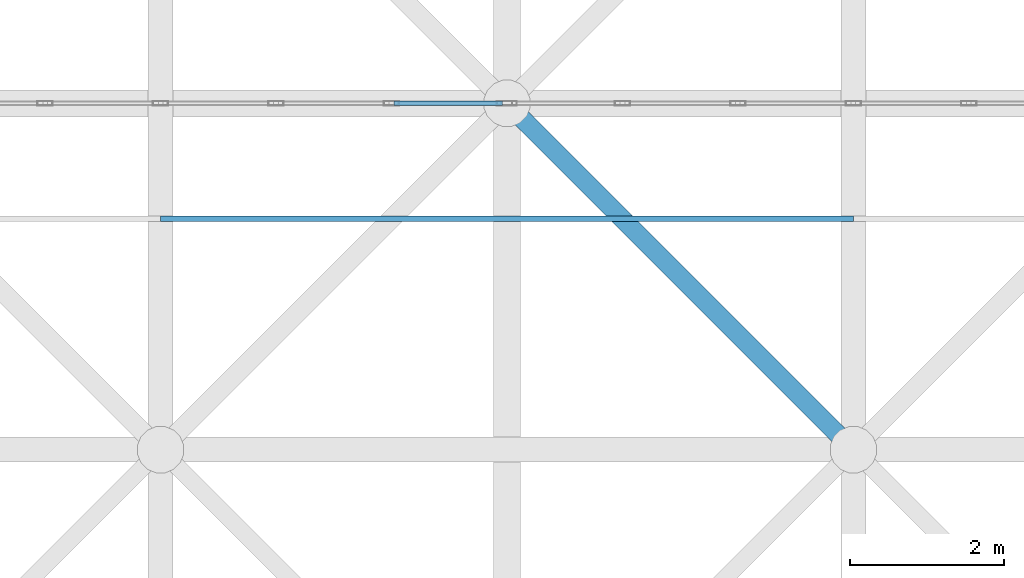
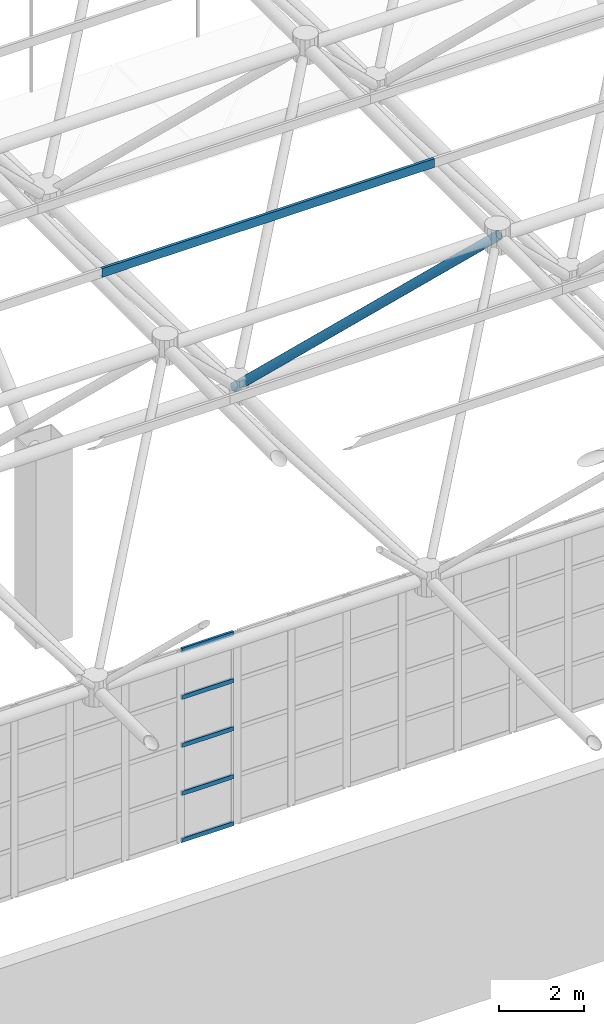
# One storey, part 165 of 437: 7 members, 1 element without a shape of its own.
"""IFC4 building model written with IfcOpenShell, lengths in metres."""

from ifc_helpers import new_model, si_unit, direction, frame, origin, origin_2d, place, context, subcontext, project, spatial, polyline, hollow_rectangle, hollow_circle, outline, extrude, material, layer, layer_set, material_profile, profile_set, type_object, element, aggregate, save


model = new_model("IFC4")

# Units and contexts
model_context = context("Model", 3, precision=1e-05, world=origin(), true_north=direction((0.0, 1.0)))
body_context = subcontext(model_context, "Body", "Model", "MODEL_VIEW")
ifc_project = project(units=[si_unit("LENGTHUNIT", "METRE"), si_unit("AREAUNIT", "SQUARE_METRE"), si_unit("VOLUMEUNIT", "CUBIC_METRE"), si_unit("PLANEANGLEUNIT", "RADIAN"), si_unit("MASSUNIT", "GRAM", prefix="KILO")], contexts=[model_context])

# Site, building, storey
site_placement = place(None, origin())
site = spatial("IfcSite", under=ifc_project, at=site_placement, CompositionType="ELEMENT")
building_placement = place(site_placement, origin())
building = spatial("IfcBuilding", under=site, at=building_placement, Name="Opaline Strait Convention Centre", CompositionType="ELEMENT")
storey_placement = place(building_placement, frame((0.0, 0.0, 11.5)))
storey = spatial("IfcBuildingStorey", under=building, at=storey_placement, Name="L02", CompositionType="ELEMENT", Elevation=11.5)

# Curtain wall, members
ifc_material_1 = material(Name="Aluminium framed glazing", Category="aluminium")
ifc_layer = layer(ifc_material_1, 0.199951171875)
ifc_layer_set = layer_set([ifc_layer], Name="Aluminium framed glazing")
curtain_wall_type = type_object("IfcCurtainWallType", Name="Entrance curtain wall 1500", PredefinedType="NOTDEFINED", material=ifc_layer_set)
curtain_wall_placement = place(storey_placement, origin())
curtain_wall = element("IfcCurtainWall", 1, at=curtain_wall_placement, inside=storey, type_object=curtain_wall_type, Name="Entrance curtain wall L02-R1", PredefinedType="NOTDEFINED")
ifc_material_2 = material(Name="Aluminium alloy 6063", Category="aluminium")
ifc_material_profile_1 = material_profile(ifc_material_2, hollow_rectangle(XDim=0.06005859375, YDim=0.1201171875, WallThickness=0.0029296875, at=origin_2d()), Name="TRANSOM 60x120x3")
ifc_profile_set_1 = profile_set([ifc_material_profile_1], Name="Aluminium alloy 6063")
member_type_1 = type_object("IfcMemberType", Name="Curtain wall transom 60 x 120", PredefinedType="USERDEFINED", material=ifc_profile_set_1)
member_1_placement = place(storey_placement, frame((169.530029296875, 144.0, 0.030029296875), z_axis=(1.0, 0.0, 0.0), x_axis=(0.0, 1.0, 0.0)))
member_1 = element("IfcMember", 2, at=member_1_placement, type_object=member_type_1, Name="XCW transom 12.1", ObjectType="TRANSOM", PredefinedType="USERDEFINED", context=body_context, shape_type="SweptSolid", body=[
    extrude(hollow_rectangle(XDim=0.06005859375, YDim=0.1201171875, WallThickness=0.0029296875, at=origin_2d()), origin(), (0.0, 0.0, 1.0), 1.409912109375),
])
member_2_placement = place(storey_placement, frame((169.530029296875, 144.0, 1.375), z_axis=(1.0, 0.0, 0.0), x_axis=(0.0, 1.0, 0.0)))
member_2 = element("IfcMember", 3, at=member_2_placement, type_object=member_type_1, Name="XCW transom 12.2", ObjectType="TRANSOM", PredefinedType="USERDEFINED", context=body_context, shape_type="SweptSolid", body=[
    extrude(hollow_rectangle(XDim=0.06005859375, YDim=0.1201171875, WallThickness=0.0029296875, at=origin_2d()), origin(), (0.0, 0.0, 1.0), 1.409912109375),
])
member_3_placement = place(storey_placement, frame((169.530029296875, 144.0, 2.75), z_axis=(1.0, 0.0, 0.0), x_axis=(0.0, 1.0, 0.0)))
member_3 = element("IfcMember", 4, at=member_3_placement, type_object=member_type_1, Name="XCW transom 12.3", ObjectType="TRANSOM", PredefinedType="USERDEFINED", context=body_context, shape_type="SweptSolid", body=[
    extrude(hollow_rectangle(XDim=0.06005859375, YDim=0.1201171875, WallThickness=0.0029296875, at=origin_2d()), origin(), (0.0, 0.0, 1.0), 1.409912109375),
])
member_4_placement = place(storey_placement, frame((169.530029296875, 144.0, 4.125), z_axis=(1.0, 0.0, 0.0), x_axis=(0.0, 1.0, 0.0)))
member_4 = element("IfcMember", 5, at=member_4_placement, type_object=member_type_1, Name="XCW transom 12.4", ObjectType="TRANSOM", PredefinedType="USERDEFINED", context=body_context, shape_type="SweptSolid", body=[
    extrude(hollow_rectangle(XDim=0.06005859375, YDim=0.1201171875, WallThickness=0.0029296875, at=origin_2d()), origin(), (0.0, 0.0, 1.0), 1.409912109375),
])
member_5_placement = place(storey_placement, frame((169.530029296875, 144.0, 5.469970703125), z_axis=(1.0, 0.0, 0.0), x_axis=(0.0, 1.0, 0.0)))
member_5 = element("IfcMember", 6, at=member_5_placement, type_object=member_type_1, Name="XCW transom 12.5", ObjectType="TRANSOM", PredefinedType="USERDEFINED", context=body_context, shape_type="SweptSolid", body=[
    extrude(hollow_rectangle(XDim=0.06005859375, YDim=0.1201171875, WallThickness=0.0029296875, at=origin_2d()), origin(), (0.0, 0.0, 1.0), 1.409912109375),
])
aggregate(curtain_wall, [member_1, member_2, member_3, member_4, member_5])

# Members
ifc_material_3 = material(Name="Steel Q355B", Category="steel")
ifc_material_profile_2 = material_profile(ifc_material_3, outline(polyline([(-0.03759765625, -0.125), (0.03759765625, -0.125), (0.03759765625, -0.10498046875), (0.034912109375, -0.10498046875), (0.034912109375, -0.12255859375), (-0.034912109375, -0.12255859375), (-0.034912109375, 0.12255859375), (0.034912109375, 0.12255859375), (0.034912109375, 0.10498046875), (0.03759765625, 0.10498046875), (0.03759765625, 0.125), (-0.03759765625, 0.125), (-0.03759765625, -0.125)])), Name="C 250x75x20x2.5")
ifc_profile_set_2 = profile_set([ifc_material_profile_2], Name="Steel Q355B")
member_type_2 = type_object("IfcMemberType", Name="Roof purlin C 250x75x20x2.5", PredefinedType="PURLIN", material=ifc_profile_set_2)
member_6_placement = place(storey_placement, frame((166.5, 142.5, 18.257080078125), z_axis=(1.0, 0.0, 0.0), x_axis=(0.0, 1.0, 0.0)))
element("IfcMember", 7, at=member_6_placement, inside=storey, type_object=member_type_2, Name="EXB-RF-P-9-11-0", PredefinedType="PURLIN", context=body_context, shape_type="SweptSolid", body=[
    extrude(outline(polyline([(-0.03759765625, -0.125), (0.03759765625, -0.125), (0.03759765625, -0.10498046875), (0.034912109375, -0.10498046875), (0.034912109375, -0.12255859375), (-0.034912109375, -0.12255859375), (-0.034912109375, 0.12255859375), (0.034912109375, 0.12255859375), (0.034912109375, 0.10498046875), (0.03759765625, 0.10498046875), (0.03759765625, 0.125), (-0.03759765625, 0.125), (-0.03759765625, -0.125)])), origin(), (0.0, 0.0, 1.0), 9.0),
])
ifc_material_profile_3 = material_profile(ifc_material_3, hollow_circle(Radius=0.12255859375, WallThickness=0.011962890625, at=origin_2d()), Name="CHS 245x12")
ifc_profile_set_3 = profile_set([ifc_material_profile_3], Name="Steel Q355B")
member_type_3 = type_object("IfcMemberType", Name="Space frame web CHS 245x12", PredefinedType="BRACE", material=ifc_profile_set_3)
member_7_placement = place(storey_placement, frame((175.52685546875, 139.47314453125, 18.004150390625), z_axis=(-0.536178220346, 0.536178220346, -0.6519400525), x_axis=(-0.707106781187, -0.707106781187, 0.0)))
element("IfcMember", 8, at=member_7_placement, inside=storey, type_object=member_type_3, Name="EXB-RF-W-9-11-10", PredefinedType="BRACE", context=body_context, shape_type="SweptSolid", body=[
    extrude(hollow_circle(Radius=0.12255859375, WallThickness=0.011962890625, at=origin_2d()), origin(), (0.0, 0.0, 1.0), 8.492919921875),
])

save(model, "model.ifc")
